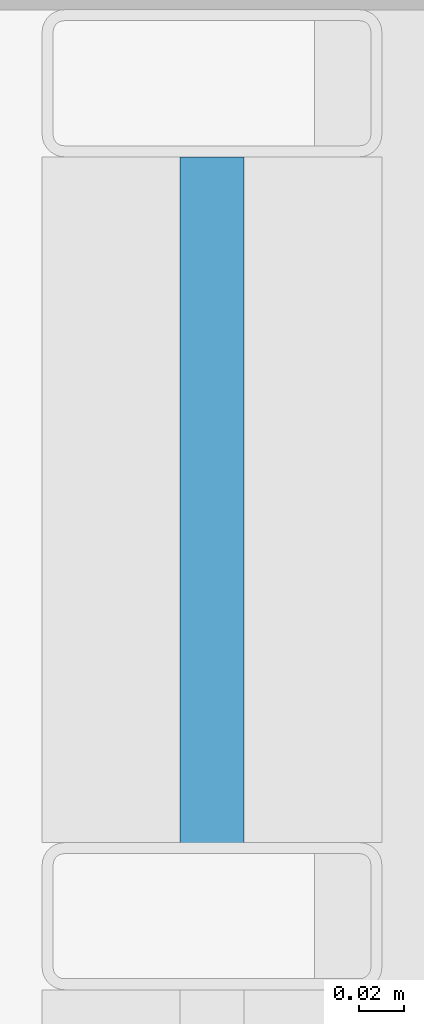
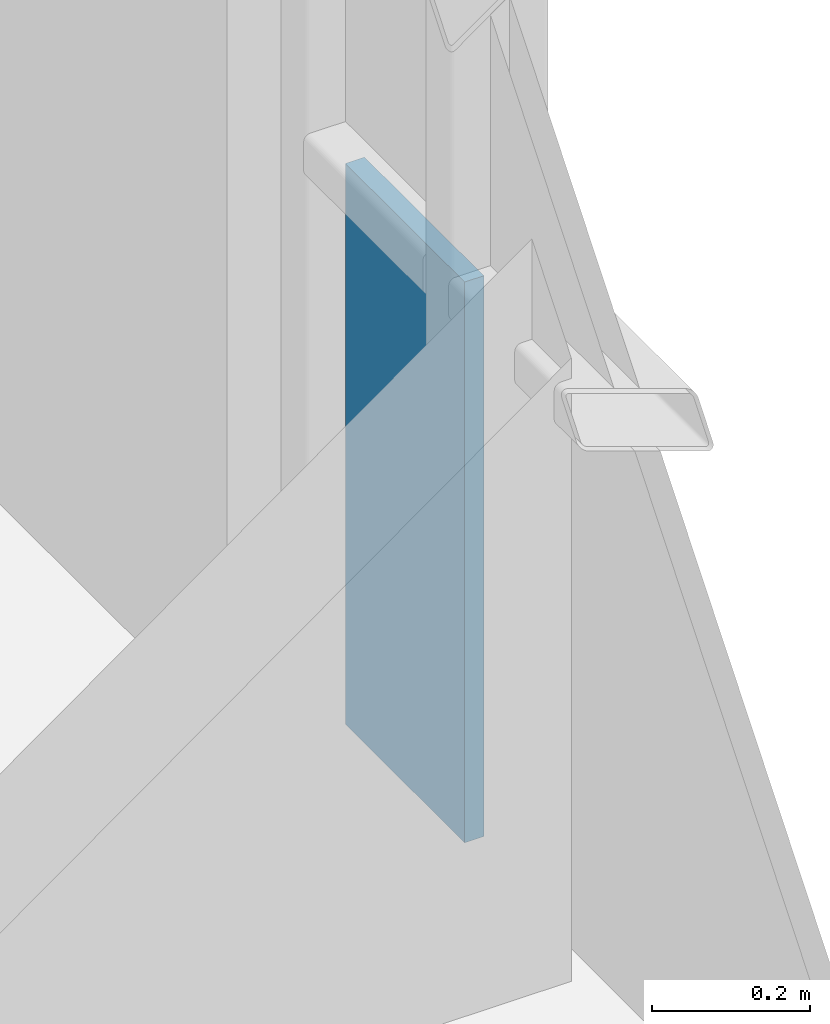
# One storey, part 30 of 40: 1 plate, 1 element without a shape of its own.
"""IFC4 building model written with IfcOpenShell, lengths in metres."""

from ifc_helpers import new_model, si_unit, direction, frame, origin, origin_2d, place, context, subcontext, project, spatial, rectangle, extrude, material, layer, layer_set, type_object, element, aggregate, save


model = new_model("IFC4")

# Units and contexts
model_context = context("Model", 3, precision=1e-05, world=origin(), true_north=direction((0.0, 1.0)))
body_context = subcontext(model_context, "Body", "Model", "MODEL_VIEW")
ifc_project = project(units=[si_unit("LENGTHUNIT", "METRE"), si_unit("AREAUNIT", "SQUARE_METRE"), si_unit("VOLUMEUNIT", "CUBIC_METRE"), si_unit("PLANEANGLEUNIT", "RADIAN"), si_unit("MASSUNIT", "GRAM", prefix="KILO")], contexts=[model_context])

# Site, building, storey
site_placement = place(None, origin())
site = spatial("IfcSite", under=ifc_project, at=site_placement, CompositionType="ELEMENT")
building_placement = place(site_placement, origin())
building = spatial("IfcBuilding", under=site, at=building_placement, Name="Brevholm Reach", CompositionType="ELEMENT")
storey_placement = place(building_placement, frame((0.0, 0.0, 119.0)))
storey = spatial("IfcBuildingStorey", under=building, at=storey_placement, Name="L35", CompositionType="ELEMENT", Elevation=119.0)

# Curtain wall, plate
ifc_material_1 = material(Name="Dark Anodised Aluminium 6063-T6 and Solar-Control Glass", Category="aluminium")
ifc_layer_1 = layer(ifc_material_1, 0.14990234375)
ifc_layer_set_1 = layer_set([ifc_layer_1], Name="Dark Anodised Aluminium 6063-T6 and Solar-Control Glass")
curtain_wall_type = type_object("IfcCurtainWallType", Name="CW-01", PredefinedType="NOTDEFINED", material=ifc_layer_set_1)
curtain_wall_placement = place(storey_placement, origin())
curtain_wall = element("IfcCurtainWall", 1, at=curtain_wall_placement, inside=storey, type_object=curtain_wall_type, Name="L35 Curtain Wall CW-01", PredefinedType="NOTDEFINED")
ifc_material_2 = material(Name="Dark Solar-Control Double-Glazed IGU Glass", Category="glass")
ifc_layer_2 = layer(ifc_material_2, 0.028076171875)
ifc_layer_set_2 = layer_set([ifc_layer_2], Name="Dark Solar-Control Double-Glazed IGU Glass")
plate_type = type_object("IfcPlateType", Name="CWP-GLZ-28", PredefinedType="CURTAIN_PANEL", material=ifc_layer_set_2)
plate_placement = place(storey_placement, frame((59.85009765625, 22.733642578125, 0.0), z_axis=(0.0, 0.0, 1.0), x_axis=(0.0, 1.0, 0.0)))
plate = element("IfcPlate", 2, at=plate_placement, type_object=plate_type, Name="CP-01 Glazing Panel 5.1", PredefinedType="CURTAIN_PANEL", context=body_context, shape_type="SweptSolid", body=[
    extrude(rectangle(XDim=0.302490234375, YDim=0.028076171875, at=origin_2d()), origin(), (0.0, 0.0, 1.0), 0.867431640625),
])
aggregate(curtain_wall, [plate])

save(model, "model.ifc")
